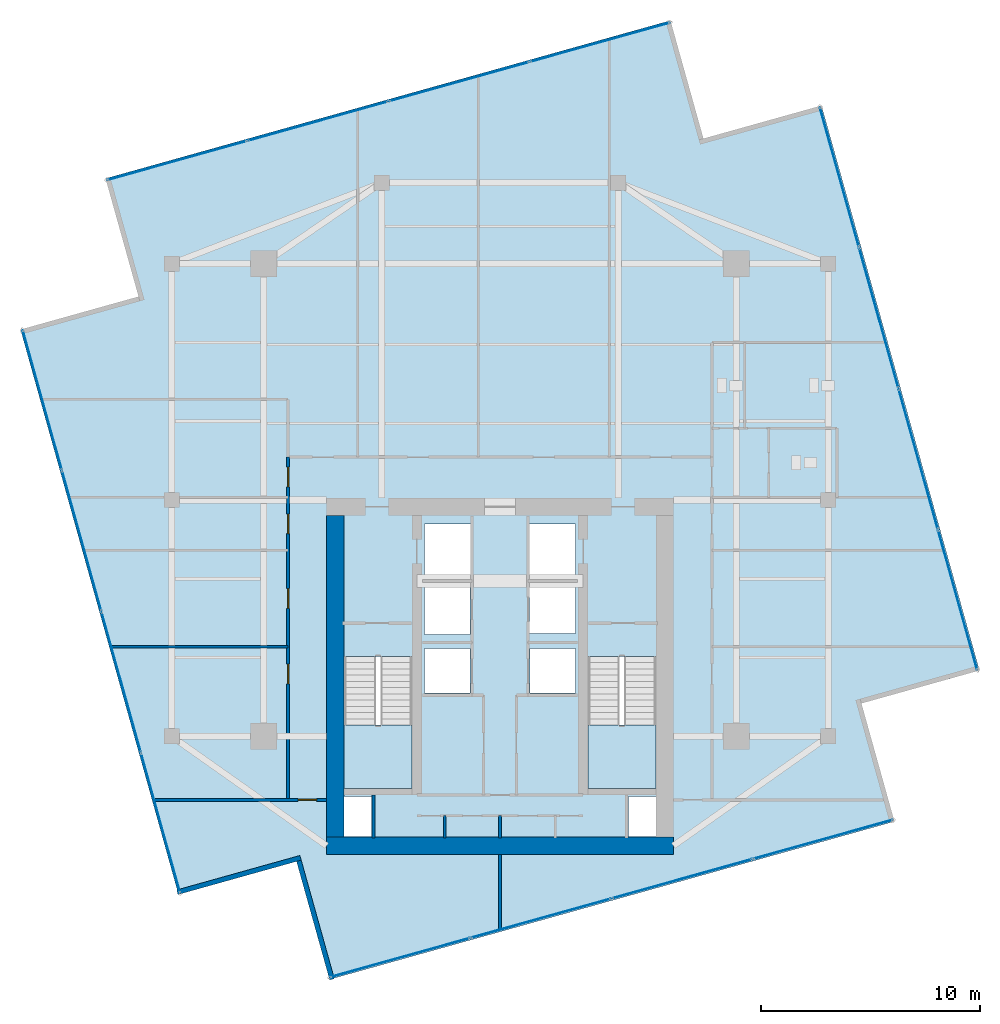
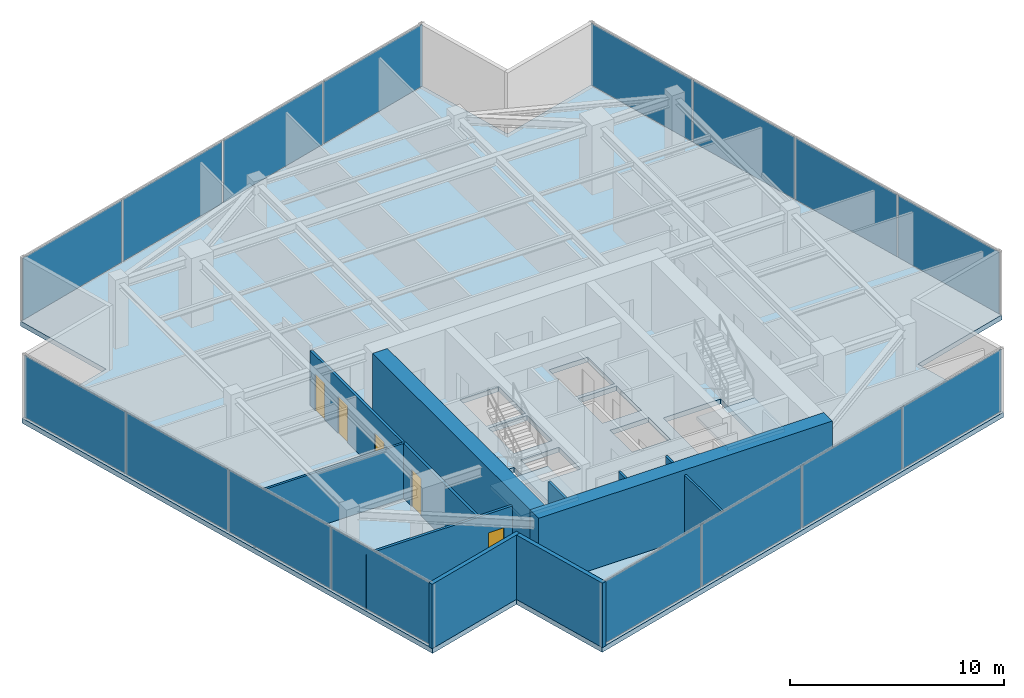
# One storey, part 16 of 21: 16 plates, 11 walls, 5 doors, 3 slabs, 5 openings, 6 elements without a shape of their own.
"""IFC4 building model written with IfcOpenShell, lengths in metres."""

from ifc_helpers import new_model, si_unit, direction, frame, frame_2d, origin, origin_2d, place, context, subcontext, project, spatial, polyline, rectangle, outline, extrude, source, transform, mapped, material, layer, layer_set, type_object, type_shapes, element, fill, aggregate, save


model = new_model("IFC4")

# Units and contexts
model_context = context("Model", 3, precision=1e-05, world=origin(), true_north=direction((0.0, 1.0)))
body_context = subcontext(model_context, "Body", "Model", "MODEL_VIEW")
ifc_project = project(units=[si_unit("LENGTHUNIT", "METRE"), si_unit("AREAUNIT", "SQUARE_METRE"), si_unit("VOLUMEUNIT", "CUBIC_METRE"), si_unit("PLANEANGLEUNIT", "RADIAN"), si_unit("MASSUNIT", "GRAM", prefix="KILO")], contexts=[model_context])

# Site, building, storey
site_placement = place(None, origin())
site = spatial("IfcSite", under=ifc_project, at=site_placement, CompositionType="ELEMENT")
building_placement = place(site_placement, origin())
building = spatial("IfcBuilding", under=site, at=building_placement, Name="Krantzveldt Concourse Tower", CompositionType="ELEMENT")
storey_placement = place(building_placement, frame((0.0, 0.0, 347.449951171875)))
storey = spatial("IfcBuildingStorey", under=building, at=storey_placement, Name="L85", CompositionType="ELEMENT", Elevation=347.449951171875)

# Stair, slab
ifc_material_1 = material(Name="Precast concrete C40/50", Category="concrete")
stair_type = type_object("IfcStairType", Name="STR-CORE-DOGLEG", PredefinedType="HALF_TURN_STAIR", material=ifc_material_1)
stair_1_placement = place(storey_placement, origin())
stair_1 = element("IfcStair", 1, at=stair_1_placement, inside=storey, type_object=stair_type, Name="L85 Protected Escape Stair ST-1", PredefinedType="HALF_TURN_STAIR")
ifc_layer_1 = layer(ifc_material_1, 0.199951171875, Name="Precast concrete C40/50", Category="concrete")
ifc_layer_set_1 = layer_set([ifc_layer_1], Name="Precast concrete C40/50 (SL-LANDING-200)")
slab_type_1 = type_object("IfcSlabType", Name="SL-LANDING-200", PredefinedType="LANDING", material=ifc_layer_set_1)
slab_1_placement = place(storey_placement, frame((0.0, 0.0, 1.775146484375)))
slab_1 = element("IfcSlab", 2, at=slab_1_placement, type_object=slab_type_1, Name="ST-1 landing 1", PredefinedType="LANDING", context=body_context, shape_type="SweptSolid", body=[
    extrude(outline(polyline([(28.8798828125, 16.4150390625), (28.8798828125, 13.52001953125), (31.97998046875, 13.52001953125), (31.97998046875, 16.4150390625), (28.8798828125, 16.4150390625)])), origin(), (0.0, 0.0, 1.0), 0.199951171875),
])
aggregate(stair_1, [slab_1])

stair_2_placement = place(storey_placement, origin())
stair_2 = element("IfcStair", 3, at=stair_2_placement, inside=storey, type_object=stair_type, Name="L85 Protected Escape Stair ST-2", PredefinedType="HALF_TURN_STAIR")
slab_2_placement = place(storey_placement, frame((0.0, 0.0, 1.775146484375)))
slab_2 = element("IfcSlab", 4, at=slab_2_placement, type_object=slab_type_1, Name="ST-2 landing 1", PredefinedType="LANDING", context=body_context, shape_type="SweptSolid", body=[
    extrude(outline(polyline([(40.02001953125, 16.4150390625), (40.02001953125, 13.52001953125), (43.1201171875, 13.52001953125), (43.1201171875, 16.4150390625), (40.02001953125, 16.4150390625)])), origin(), (0.0, 0.0, 1.0), 0.199951171875),
])
aggregate(stair_2, [slab_2])

# Slab
ifc_material_2 = material(Name="Concrete C40/50", Category="concrete")
ifc_layer_2 = layer(ifc_material_2, 0.280029296875, Name="Concrete C40/50", Category="concrete")
ifc_layer_set_2 = layer_set([ifc_layer_2], Name="Concrete C40/50 (SL-SL-TWR280)")
slab_type_2 = type_object("IfcSlabType", Name="SL-SL-TWR280", PredefinedType="FLOOR", material=ifc_layer_set_2)
slab_3_placement = place(storey_placement, frame((0.0, 0.0, -0.280029296875)))
element("IfcSlab", 5, at=slab_3_placement, inside=storey, type_object=slab_type_2, Name="SL-L85-MAIN", PredefinedType="FLOOR", context=body_context, shape_type="SweptSolid", body=[
    extrude(outline(polyline([(45.295654296875, 43.2138671875), (43.787353515625, 48.60693359375), (17.977783203125, 41.388671875), (19.486083984375, 35.99560546875), (14.093017578125, 34.4873046875), (21.311279296875, 8.677734375), (26.704345703125, 10.18603515625), (28.212646484375, 4.79296875), (54.022216796875, 12.01123046875), (52.513916015625, 17.404296875), (57.906982421875, 18.91259765625), (50.688720703125, 44.72216796875), (45.295654296875, 43.2138671875)]), holes=[polyline([(28.8798828125, 19.547607421875), (28.8798828125, 13.52001953125), (31.97998046875, 13.52001953125), (31.97998046875, 19.547607421875), (28.8798828125, 19.547607421875)]), polyline([(40.02001953125, 19.547607421875), (40.02001953125, 13.52001953125), (43.1201171875, 13.52001953125), (43.1201171875, 19.547607421875), (40.02001953125, 19.547607421875)]), polyline([(32.550048828125, 23.10009765625), (34.64990234375, 23.10009765625), (34.64990234375, 25.60009765625), (32.550048828125, 25.60009765625), (32.550048828125, 23.10009765625)]), polyline([(37.35009765625, 23.10009765625), (39.449951171875, 23.10009765625), (39.449951171875, 25.60009765625), (37.35009765625, 25.60009765625), (37.35009765625, 23.10009765625)]), polyline([(37.35009765625, 20.60009765625), (39.449951171875, 20.60009765625), (39.449951171875, 22.89990234375), (37.35009765625, 22.89990234375), (37.35009765625, 20.60009765625)]), polyline([(32.550048828125, 20.550048828125), (34.6201171875, 20.550048828125), (34.6201171875, 22.89990234375), (32.550048828125, 22.89990234375), (32.550048828125, 20.550048828125)]), polyline([(32.550048828125, 17.8798828125), (34.6201171875, 17.8798828125), (34.6201171875, 19.919921875), (32.550048828125, 19.919921875), (32.550048828125, 17.8798828125)]), polyline([(37.3798828125, 17.8798828125), (39.449951171875, 17.8798828125), (39.449951171875, 19.919921875), (37.3798828125, 19.919921875), (37.3798828125, 17.8798828125)]), polyline([(28.8798828125, 11.320068359375), (30.139892578125, 11.320068359375), (30.139892578125, 13.159912109375), (28.8798828125, 13.159912109375), (28.8798828125, 11.320068359375)]), polyline([(41.860107421875, 11.320068359375), (43.1201171875, 11.320068359375), (43.1201171875, 13.159912109375), (41.860107421875, 13.159912109375), (41.860107421875, 11.320068359375)])]), origin(), (0.0, 0.0, 1.0), 0.280029296875),
])

# Curtain wall, plates
ifc_material_3 = material(Name="Anodised aluminium 6063-T6", Category="aluminium")
curtain_wall_type = type_object("IfcCurtainWallType", Name="CW4", PredefinedType="USERDEFINED", material=ifc_material_3)
curtain_wall_1_placement = place(storey_placement, origin())
curtain_wall_1 = element("IfcCurtainWall", 6, at=curtain_wall_1_placement, inside=storey, type_object=curtain_wall_type, Name="CW-L85-F01", ObjectType="UNITISED CURTAIN WALL", PredefinedType="USERDEFINED")
ifc_material_4 = material(Name="Bronze-tinted laminated low-E IGU glass", Category="glass")
ifc_layer_3 = layer(ifc_material_4, 0.031982421875, Name="Bronze-tinted laminated low-E IGU glass", Category="glass")
ifc_layer_set_3 = layer_set([ifc_layer_3], Name="Bronze-tinted laminated low-E IGU glass (CW-GLZ-32)")
plate_type = type_object("IfcPlateType", Name="CW-GLZ-32", PredefinedType="CURTAIN_PANEL", material=ifc_layer_set_3)
shared_shape_1 = source(origin(), body_context, "Body", "SweptSolid", [
    extrude(rectangle(XDim=6.594970703125, YDim=0.031982421875, at=origin_2d()), origin(), (0.0, 0.0, 1.0), 3.530029296875),
])
plate_1_placement = place(storey_placement, frame((40.568603515625, 47.61328125, 0.06982421875), z_axis=(0.0, 0.0, 1.0), x_axis=(-0.963045170968, -0.269339931454, 0.0)))
plate_1 = element("IfcPlate", 7, at=plate_1_placement, type_object=plate_type, Name="CW-Z56 panel 1.1", PredefinedType="CURTAIN_PANEL", context=body_context, shape_type="MappedRepresentation", body=[
    mapped(shared_shape_1, transform((0.0, 0.0, 0.0), x_axis=(1.0, 0.0, 0.0), y_axis=(0.0, 1.0, 0.0), z_axis=(0.0, 0.0, 1.0), scale=1.0)),
])
plate_2_placement = place(storey_placement, frame((21.2451171875, 42.208984375, 0.06982421875), z_axis=(0.0, 0.0, 1.0), x_axis=(-0.963045170968, -0.269339931454, 0.0)))
plate_2 = element("IfcPlate", 8, at=plate_2_placement, type_object=plate_type, Name="CW-Z56 panel 4.1", PredefinedType="CURTAIN_PANEL", context=body_context, shape_type="MappedRepresentation", body=[
    mapped(shared_shape_1, transform((0.0, 0.0, 0.0), x_axis=(1.0, 0.0, 0.0), y_axis=(0.0, 1.0, 0.0), z_axis=(0.0, 0.0, 1.0), scale=1.0)),
])

curtain_wall_2_placement = place(storey_placement, origin())
curtain_wall_2 = element("IfcCurtainWall", 9, at=curtain_wall_2_placement, inside=storey, type_object=curtain_wall_type, Name="CW-L85-F04", ObjectType="UNITISED CURTAIN WALL", PredefinedType="USERDEFINED")
plate_3_placement = place(storey_placement, frame((15.086669921875, 31.2685546875, 0.06982421875), z_axis=(0.0, 0.0, 1.0), x_axis=(0.269339931454, -0.963045170968, 0.0)))
plate_3 = element("IfcPlate", 10, at=plate_3_placement, type_object=plate_type, Name="CW-Z56 panel 1.1", PredefinedType="CURTAIN_PANEL", context=body_context, shape_type="MappedRepresentation", body=[
    mapped(shared_shape_1, transform((0.0, 0.0, 0.0), x_axis=(1.0, 0.0, 0.0), y_axis=(0.0, 1.0, 0.0), z_axis=(0.0, 0.0, 1.0), scale=1.0)),
])
plate_4_placement = place(storey_placement, frame((20.490966796875, 11.945068359375, 0.06982421875), z_axis=(0.0, 0.0, 1.0), x_axis=(0.269339931454, -0.963045170968, 0.0)))
plate_4 = element("IfcPlate", 11, at=plate_4_placement, type_object=plate_type, Name="CW-Z56 panel 4.1", PredefinedType="CURTAIN_PANEL", context=body_context, shape_type="MappedRepresentation", body=[
    mapped(shared_shape_1, transform((0.0, 0.0, 0.0), x_axis=(1.0, 0.0, 0.0), y_axis=(0.0, 1.0, 0.0), z_axis=(0.0, 0.0, 1.0), scale=1.0)),
])

curtain_wall_3_placement = place(storey_placement, origin())
curtain_wall_3 = element("IfcCurtainWall", 12, at=curtain_wall_3_placement, inside=storey, type_object=curtain_wall_type, Name="CW-L85-F07", ObjectType="UNITISED CURTAIN WALL", PredefinedType="USERDEFINED")
plate_5_placement = place(storey_placement, frame((31.431396484375, 5.78662109375, 0.06982421875), z_axis=(0.0, 0.0, 1.0), x_axis=(0.963045170968, 0.269339931454, 0.0)))
plate_5 = element("IfcPlate", 13, at=plate_5_placement, type_object=plate_type, Name="CW-Z56 panel 1.1", PredefinedType="CURTAIN_PANEL", context=body_context, shape_type="MappedRepresentation", body=[
    mapped(shared_shape_1, transform((0.0, 0.0, 0.0), x_axis=(1.0, 0.0, 0.0), y_axis=(0.0, 1.0, 0.0), z_axis=(0.0, 0.0, 1.0), scale=1.0)),
])
plate_6_placement = place(storey_placement, frame((50.7548828125, 11.19091796875, 0.06982421875), z_axis=(0.0, 0.0, 1.0), x_axis=(0.963045170968, 0.269339931454, 0.0)))
plate_6 = element("IfcPlate", 14, at=plate_6_placement, type_object=plate_type, Name="CW-Z56 panel 4.1", PredefinedType="CURTAIN_PANEL", context=body_context, shape_type="MappedRepresentation", body=[
    mapped(shared_shape_1, transform((0.0, 0.0, 0.0), x_axis=(1.0, 0.0, 0.0), y_axis=(0.0, 1.0, 0.0), z_axis=(0.0, 0.0, 1.0), scale=1.0)),
])

curtain_wall_4_placement = place(storey_placement, origin())
curtain_wall_4 = element("IfcCurtainWall", 15, at=curtain_wall_4_placement, inside=storey, type_object=curtain_wall_type, Name="CW-L85-F10", ObjectType="UNITISED CURTAIN WALL", PredefinedType="USERDEFINED")
plate_7_placement = place(storey_placement, frame((56.913330078125, 22.131591796875, 0.06982421875), z_axis=(0.0, 0.0, 1.0), x_axis=(-0.269339931454, 0.963045170968, 0.0)))
plate_7 = element("IfcPlate", 16, at=plate_7_placement, type_object=plate_type, Name="CW-Z56 panel 1.1", PredefinedType="CURTAIN_PANEL", context=body_context, shape_type="MappedRepresentation", body=[
    mapped(shared_shape_1, transform((0.0, 0.0, 0.0), x_axis=(1.0, 0.0, 0.0), y_axis=(0.0, 1.0, 0.0), z_axis=(0.0, 0.0, 1.0), scale=1.0)),
])
plate_8_placement = place(storey_placement, frame((51.509033203125, 41.455078125, 0.06982421875), z_axis=(0.0, 0.0, 1.0), x_axis=(-0.269339931454, 0.963045170968, 0.0)))
plate_8 = element("IfcPlate", 17, at=plate_8_placement, type_object=plate_type, Name="CW-Z56 panel 4.1", PredefinedType="CURTAIN_PANEL", context=body_context, shape_type="MappedRepresentation", body=[
    mapped(shared_shape_1, transform((0.0, 0.0, 0.0), x_axis=(1.0, 0.0, 0.0), y_axis=(0.0, 1.0, 0.0), z_axis=(0.0, 0.0, 1.0), scale=1.0)),
])

# Plate
shared_shape_2 = source(origin(), body_context, "Body", "SweptSolid", [
    extrude(rectangle(XDim=6.6298828125, YDim=0.031982421875, at=origin_2d()), origin(), (0.0, 0.0, 1.0), 3.530029296875),
])
type_shapes(plate_type, [shared_shape_1, shared_shape_2])
plate_9_placement = place(storey_placement, frame((34.133056640625, 45.8134765625, 0.06982421875), z_axis=(0.0, 0.0, 1.0), x_axis=(-0.963045170968, -0.269339931454, 0.0)))
plate_9 = element("IfcPlate", 18, at=plate_9_placement, type_object=plate_type, Name="CW-Z56 panel 2.1", PredefinedType="CURTAIN_PANEL", context=body_context, shape_type="MappedRepresentation", body=[
    mapped(shared_shape_2, transform((0.0, 0.0, 0.0), x_axis=(1.0, 0.0, 0.0), y_axis=(0.0, 1.0, 0.0), z_axis=(0.0, 0.0, 1.0), scale=1.0)),
])

plate_10_placement = place(storey_placement, frame((27.6806640625, 44.0087890625, 0.06982421875), z_axis=(0.0, 0.0, 1.0), x_axis=(-0.963045170968, -0.269339931454, 0.0)))
plate_10 = element("IfcPlate", 19, at=plate_10_placement, type_object=plate_type, Name="CW-Z56 panel 3.1", PredefinedType="CURTAIN_PANEL", context=body_context, shape_type="MappedRepresentation", body=[
    mapped(shared_shape_2, transform((0.0, 0.0, 0.0), x_axis=(1.0, 0.0, 0.0), y_axis=(0.0, 1.0, 0.0), z_axis=(0.0, 0.0, 1.0), scale=1.0)),
])

aggregate(curtain_wall_1, [plate_1, plate_9, plate_10, plate_2])

plate_11_placement = place(storey_placement, frame((16.886474609375, 24.8330078125, 0.06982421875), z_axis=(0.0, 0.0, 1.0), x_axis=(0.269339931454, -0.963045170968, 0.0)))
plate_11 = element("IfcPlate", 20, at=plate_11_placement, type_object=plate_type, Name="CW-Z56 panel 2.1", PredefinedType="CURTAIN_PANEL", context=body_context, shape_type="MappedRepresentation", body=[
    mapped(shared_shape_2, transform((0.0, 0.0, 0.0), x_axis=(1.0, 0.0, 0.0), y_axis=(0.0, 1.0, 0.0), z_axis=(0.0, 0.0, 1.0), scale=1.0)),
])

plate_12_placement = place(storey_placement, frame((18.691162109375, 18.380615234375, 0.06982421875), z_axis=(0.0, 0.0, 1.0), x_axis=(0.269339931454, -0.963045170968, 0.0)))
plate_12 = element("IfcPlate", 21, at=plate_12_placement, type_object=plate_type, Name="CW-Z56 panel 3.1", PredefinedType="CURTAIN_PANEL", context=body_context, shape_type="MappedRepresentation", body=[
    mapped(shared_shape_2, transform((0.0, 0.0, 0.0), x_axis=(1.0, 0.0, 0.0), y_axis=(0.0, 1.0, 0.0), z_axis=(0.0, 0.0, 1.0), scale=1.0)),
])

aggregate(curtain_wall_2, [plate_3, plate_11, plate_12, plate_4])

plate_13_placement = place(storey_placement, frame((37.866943359375, 7.58642578125, 0.06982421875), z_axis=(0.0, 0.0, 1.0), x_axis=(0.963045170968, 0.269339931454, 0.0)))
plate_13 = element("IfcPlate", 22, at=plate_13_placement, type_object=plate_type, Name="CW-Z56 panel 2.1", PredefinedType="CURTAIN_PANEL", context=body_context, shape_type="MappedRepresentation", body=[
    mapped(shared_shape_2, transform((0.0, 0.0, 0.0), x_axis=(1.0, 0.0, 0.0), y_axis=(0.0, 1.0, 0.0), z_axis=(0.0, 0.0, 1.0), scale=1.0)),
])

plate_14_placement = place(storey_placement, frame((44.3193359375, 9.39111328125, 0.06982421875), z_axis=(0.0, 0.0, 1.0), x_axis=(0.963045170968, 0.269339931454, 0.0)))
plate_14 = element("IfcPlate", 23, at=plate_14_placement, type_object=plate_type, Name="CW-Z56 panel 3.1", PredefinedType="CURTAIN_PANEL", context=body_context, shape_type="MappedRepresentation", body=[
    mapped(shared_shape_2, transform((0.0, 0.0, 0.0), x_axis=(1.0, 0.0, 0.0), y_axis=(0.0, 1.0, 0.0), z_axis=(0.0, 0.0, 1.0), scale=1.0)),
])

aggregate(curtain_wall_3, [plate_5, plate_13, plate_14, plate_6])

plate_15_placement = place(storey_placement, frame((55.113525390625, 28.567138671875, 0.06982421875), z_axis=(0.0, 0.0, 1.0), x_axis=(-0.269339931454, 0.963045170968, 0.0)))
plate_15 = element("IfcPlate", 24, at=plate_15_placement, type_object=plate_type, Name="CW-Z56 panel 2.1", PredefinedType="CURTAIN_PANEL", context=body_context, shape_type="MappedRepresentation", body=[
    mapped(shared_shape_2, transform((0.0, 0.0, 0.0), x_axis=(1.0, 0.0, 0.0), y_axis=(0.0, 1.0, 0.0), z_axis=(0.0, 0.0, 1.0), scale=1.0)),
])

plate_16_placement = place(storey_placement, frame((53.308837890625, 35.01953125, 0.06982421875), z_axis=(0.0, 0.0, 1.0), x_axis=(-0.269339931454, 0.963045170968, 0.0)))
plate_16 = element("IfcPlate", 25, at=plate_16_placement, type_object=plate_type, Name="CW-Z56 panel 3.1", PredefinedType="CURTAIN_PANEL", context=body_context, shape_type="MappedRepresentation", body=[
    mapped(shared_shape_2, transform((0.0, 0.0, 0.0), x_axis=(1.0, 0.0, 0.0), y_axis=(0.0, 1.0, 0.0), z_axis=(0.0, 0.0, 1.0), scale=1.0)),
])

aggregate(curtain_wall_4, [plate_7, plate_15, plate_16, plate_8])

# Walls
ifc_layer_4 = layer(ifc_material_3, 0.219970703125, Name="Anodised aluminium 6063-T6", Category="aluminium")
ifc_layer_set_4 = layer_set([ifc_layer_4], Name="Anodised aluminium 6063-T6 (WL-EXT-NOTCH220)")
wall_type_1 = type_object("IfcWallType", Name="WL-EXT-NOTCH220", PredefinedType="ELEMENTEDWALL", material=ifc_layer_set_4)
wall_1_placement = place(storey_placement, frame((21.257568359375, 8.77685546875, 0.0), z_axis=(0.0, 0.0, 1.0), x_axis=(0.963036430781, 0.269371180695, 0.0)))
element("IfcWall", 26, at=wall_1_placement, inside=storey, type_object=wall_type_1, Name="EW-L85-NCH05", PredefinedType="ELEMENTEDWALL", context=body_context, shape_type="SweptSolid", body=[
    extrude(rectangle(XDim=5.844970703125, YDim=0.219970703125, at=frame_2d((2.92236328125, 0.0))), origin(), (0.0, 0.0, 1.0), 3.670166015625),
])
wall_2_placement = place(storey_placement, frame((26.810302734375, 10.215576171875, 0.0), z_axis=(0.0, 0.0, 1.0), x_axis=(0.269362667524, -0.963038811961, 0.0)))
element("IfcWall", 27, at=wall_2_placement, inside=storey, type_object=wall_type_1, Name="EW-L85-NCH06", PredefinedType="ELEMENTEDWALL", context=body_context, shape_type="SweptSolid", body=[
    extrude(rectangle(XDim=5.625, YDim=0.219970703125, at=frame_2d((2.8125, 0.0))), origin(), (0.0, 0.0, 1.0), 3.670166015625),
])
ifc_material_5 = material(Name="Fire-rated gypsum plasterboard on steel stud", Category="steel")
ifc_layer_5 = layer(ifc_material_5, 0.1201171875, Name="Fire-rated gypsum plasterboard on steel stud", Category="steel")
ifc_layer_set_5 = layer_set([ifc_layer_5], Name="Fire-rated gypsum plasterboard on steel stud (WL-PART-120)")
wall_type_2 = type_object("IfcWallType", Name="WL-PART-120", PredefinedType="PARTITIONING", material=ifc_layer_set_5)
for number, where, z_axis, x_axis, name in (
    (28, (33.469970703125, 11.25, 0.0), (0.0, 0.0, 1.0), (0.0, 1.0, 0.0), "WP-L85-CSD-V1"),
    (29, (36.0, 11.25, 0.0), (0.0, 0.0, 1.0), (0.0, 1.0, 0.0), "WP-L85-CSD-V2"),
):
    element("IfcWall", number, at=place(storey_placement, frame(where, z_axis=z_axis, x_axis=x_axis)), inside=storey, type_object=wall_type_2, Name=name, PredefinedType="PARTITIONING", context=body_context, shape_type="SweptSolid", body=[
        extrude(rectangle(XDim=1.030029296875, YDim=0.1201171875, at=frame_2d((0.51513671875, 0.0))), origin(), (0.0, 0.0, 1.0), 3.670166015625),
    ])
wall_3_placement = place(storey_placement, frame((18.23828125, 20.0, 0.0), z_axis=(0.0, 0.0, 1.0), x_axis=(1.0, 0.0, 0.0)))
element("IfcWall", 30, at=wall_3_placement, inside=storey, type_object=wall_type_2, Name="WP-L85-WD1", PredefinedType="PARTITIONING", context=body_context, shape_type="SweptSolid", body=[
    extrude(rectangle(XDim=8.081787109375, YDim=0.1201171875, at=frame_2d((4.041015625, 0.0))), origin(), (0.0, 0.0, 1.0), 3.130126953125),
])
wall_4_placement = place(storey_placement, frame((36.0, 7.064453125, 0.0), z_axis=(0.0, 0.0, 1.0), x_axis=(0.0, 1.0, 0.0)))
element("IfcWall", 31, at=wall_4_placement, inside=storey, type_object=wall_type_2, Name="WP-L85-SSMD", PredefinedType="PARTITIONING", context=body_context, shape_type="SweptSolid", body=[
    extrude(rectangle(XDim=3.435546875, YDim=0.1201171875, at=frame_2d((1.7177734375, 0.0))), origin(), (0.0, 0.0, 1.0), 3.670166015625),
])

# Wall, openings, doors
ifc_layer_6 = layer(ifc_material_5, 0.139892578125, Name="Fire-rated gypsum plasterboard on steel stud", Category="steel")
ifc_layer_set_6 = layer_set([ifc_layer_6], Name="Fire-rated gypsum plasterboard on steel stud (WL-PART-140)")
wall_type_3 = type_object("IfcWallType", Name="WL-PART-140", PredefinedType="PARTITIONING", material=ifc_layer_set_6)
wall_5_placement = place(storey_placement, frame((26.320068359375, 13.0, 0.0), z_axis=(0.0, 0.0, 1.0), x_axis=(0.0, 1.0, 0.0)))
wall_5 = element("IfcWall", 32, at=wall_5_placement, inside=storey, type_object=wall_type_3, Name="WP-L85-CWEST", PredefinedType="PARTITIONING", context=body_context, shape_type="SweptSolid", body=[
    extrude(rectangle(XDim=15.659912109375, YDim=0.139892578125, at=frame_2d((7.830078125, 0.0))), origin(), (0.0, 0.0, 1.0), 3.130126953125),
])
opening_1_placement = place(wall_5_placement, frame((14.300048828125, 0.0, 0.0)))
opening_1 = element("IfcOpeningElement", 33, at=opening_1_placement, cuts=wall_5, Name="Opening D-IN090", PredefinedType="OPENING", context=body_context, shape_type="SweptSolid", body=[
    extrude(rectangle(XDim=0.89990234375, YDim=2.10009765625, at=frame_2d((0.449951171875, 1.050048828125))), frame((0.0, 0.080078125, 0.0), z_axis=(0.0, -1.0, 0.0), x_axis=(1.0, 0.0, 0.0)), (0.0, 0.0, 1.0), 0.159912109375),
])
opening_2_placement = place(wall_5_placement, frame((5.300048828125, 0.0, 0.0)))
opening_2 = element("IfcOpeningElement", 34, at=opening_2_placement, cuts=wall_5, Name="Opening D-IN090", PredefinedType="OPENING", context=body_context, shape_type="SweptSolid", body=[
    extrude(rectangle(XDim=0.89990234375, YDim=2.10009765625, at=frame_2d((0.449951171875, 1.050048828125))), frame((0.0, 0.080078125, 0.0), z_axis=(0.0, -1.0, 0.0), x_axis=(1.0, 0.0, 0.0)), (0.0, 0.0, 1.0), 0.159912109375),
])
opening_3_placement = place(wall_5_placement, frame((8.75, 0.0, 0.0)))
opening_3 = element("IfcOpeningElement", 35, at=opening_3_placement, cuts=wall_5, Name="Opening D-IN090", PredefinedType="OPENING", context=body_context, shape_type="SweptSolid", body=[
    extrude(rectangle(XDim=0.89990234375, YDim=2.10009765625, at=frame_2d((0.449951171875, 1.050048828125))), frame((0.0, 0.080078125, 0.0), z_axis=(0.0, -1.0, 0.0), x_axis=(1.0, 0.0, 0.0)), (0.0, 0.0, 1.0), 0.159912109375),
])
opening_4_placement = place(wall_5_placement, frame((12.159912109375, 0.0, 0.0)))
opening_4 = element("IfcOpeningElement", 36, at=opening_4_placement, cuts=wall_5, Name="Opening D-IN090", PredefinedType="OPENING", context=body_context, shape_type="SweptSolid", body=[
    extrude(rectangle(XDim=0.89990234375, YDim=2.10009765625, at=frame_2d((0.449951171875, 1.050048828125))), frame((0.0, 0.080078125, 0.0), z_axis=(0.0, -1.0, 0.0), x_axis=(1.0, 0.0, 0.0)), (0.0, 0.0, 1.0), 0.159912109375),
])
ifc_material_6 = material(Name="Hardwood timber", Category="wood")
door_type_1 = type_object("IfcDoorType", Name="DR-INT-900", OperationType="SINGLE_SWING_LEFT", PredefinedType="DOOR", material=ifc_material_6)
door_1_placement = place(opening_1_placement, origin())
door_1 = element("IfcDoor", 37, at=door_1_placement, inside=storey, type_object=door_type_1, Name="DR-L85-PNT", OperationType="SINGLE_SWING_LEFT", OverallHeight=2.10009765625, OverallWidth=0.89990234375, PredefinedType="DOOR", context=body_context, shape_type="SweptSolid", body=[
    extrude(rectangle(XDim=0.89990234375, YDim=2.10009765625, at=frame_2d((0.449951171875, 1.050048828125))), frame((0.0, 0.02490234375, 0.0), z_axis=(0.0, -1.0, 0.0), x_axis=(1.0, 0.0, 0.0)), (0.0, 0.0, 1.0), 0.050048828125),
])
fill(opening_1, door_1)
door_2_placement = place(opening_2_placement, origin())
door_2 = element("IfcDoor", 38, at=door_2_placement, inside=storey, type_object=door_type_1, Name="DR-L85-WR1", OperationType="SINGLE_SWING_LEFT", OverallHeight=2.10009765625, OverallWidth=0.89990234375, PredefinedType="DOOR", context=body_context, shape_type="SweptSolid", body=[
    extrude(rectangle(XDim=0.89990234375, YDim=2.10009765625, at=frame_2d((0.449951171875, 1.050048828125))), frame((0.0, 0.02490234375, 0.0), z_axis=(0.0, -1.0, 0.0), x_axis=(1.0, 0.0, 0.0)), (0.0, 0.0, 1.0), 0.050048828125),
])
fill(opening_2, door_2)
door_3_placement = place(opening_3_placement, origin())
door_3 = element("IfcDoor", 39, at=door_3_placement, inside=storey, type_object=door_type_1, Name="DR-L85-WR2", OperationType="SINGLE_SWING_LEFT", OverallHeight=2.10009765625, OverallWidth=0.89990234375, PredefinedType="DOOR", context=body_context, shape_type="SweptSolid", body=[
    extrude(rectangle(XDim=0.89990234375, YDim=2.10009765625, at=frame_2d((0.449951171875, 1.050048828125))), frame((0.0, 0.02490234375, 0.0), z_axis=(0.0, -1.0, 0.0), x_axis=(1.0, 0.0, 0.0)), (0.0, 0.0, 1.0), 0.050048828125),
])
fill(opening_3, door_3)
door_4_placement = place(opening_4_placement, origin())
door_4 = element("IfcDoor", 40, at=door_4_placement, inside=storey, type_object=door_type_1, Name="DR-L85-WR3", OperationType="SINGLE_SWING_LEFT", OverallHeight=2.10009765625, OverallWidth=0.89990234375, PredefinedType="DOOR", context=body_context, shape_type="SweptSolid", body=[
    extrude(rectangle(XDim=0.89990234375, YDim=2.10009765625, at=frame_2d((0.449951171875, 1.050048828125))), frame((0.0, 0.02490234375, 0.0), z_axis=(0.0, -1.0, 0.0), x_axis=(1.0, 0.0, 0.0)), (0.0, 0.0, 1.0), 0.050048828125),
])
fill(opening_4, door_4)

# Wall, opening, door
wall_6_placement = place(storey_placement, frame((20.19580078125, 13.0, 0.0), z_axis=(0.0, 0.0, 1.0), x_axis=(1.0, 0.0, 0.0)))
wall_6 = element("IfcWall", 41, at=wall_6_placement, inside=storey, type_object=wall_type_3, Name="WP-L85-CSBOTW", PredefinedType="PARTITIONING", context=body_context, shape_type="SweptSolid", body=[
    extrude(rectangle(XDim=7.88427734375, YDim=0.139892578125, at=frame_2d((3.942138671875, 0.0))), origin(), (0.0, 0.0, 1.0), 3.179931640625),
])
opening_5_placement = place(wall_6_placement, frame((6.5791015625, 0.0, 0.0)))
opening_5 = element("IfcOpeningElement", 42, at=opening_5_placement, cuts=wall_6, Name="Opening D-IN085", PredefinedType="OPENING", context=body_context, shape_type="SweptSolid", body=[
    extrude(rectangle(XDim=0.85009765625, YDim=2.10009765625, at=frame_2d((0.425048828125, 1.050048828125))), frame((0.0, 0.080078125, 0.0), z_axis=(0.0, -1.0, 0.0), x_axis=(1.0, 0.0, 0.0)), (0.0, 0.0, 1.0), 0.159912109375),
])
door_type_2 = type_object("IfcDoorType", Name="DR-INT-850", OperationType="SINGLE_SWING_LEFT", PredefinedType="DOOR", material=ifc_material_6)
door_5_placement = place(opening_5_placement, origin())
door_5 = element("IfcDoor", 43, at=door_5_placement, inside=storey, type_object=door_type_2, Name="DR-L85-SR1", OperationType="SINGLE_SWING_LEFT", OverallHeight=2.10009765625, OverallWidth=0.85009765625, PredefinedType="DOOR", context=body_context, shape_type="SweptSolid", body=[
    extrude(rectangle(XDim=0.85009765625, YDim=2.10009765625, at=frame_2d((0.425048828125, 1.050048828125))), frame((0.0, 0.02490234375, 0.0), z_axis=(0.0, -1.0, 0.0), x_axis=(1.0, 0.0, 0.0)), (0.0, 0.0, 1.0), 0.050048828125),
])
fill(opening_5, door_5)

# Walls
ifc_layer_7 = layer(ifc_material_5, 0.139892578125, Name="Fire-rated gypsum plasterboard on steel stud", Category="steel")
ifc_layer_set_7 = layer_set([ifc_layer_7], Name="Fire-rated gypsum plasterboard on steel stud (WL-PART-FR140)")
wall_type_4 = type_object("IfcWallType", Name="WL-PART-FR140", PredefinedType="PARTITIONING", material=ifc_layer_set_7)
wall_7_placement = place(storey_placement, frame((30.219970703125, 11.25, 0.0), z_axis=(0.0, 0.0, 1.0), x_axis=(0.0, 1.0, 0.0)))
element("IfcWall", 44, at=wall_7_placement, inside=storey, type_object=wall_type_4, Name="WP-L85-RSW", PredefinedType="PARTITIONING", context=body_context, shape_type="SweptSolid", body=[
    extrude(rectangle(XDim=1.969970703125, YDim=0.1201171875, at=frame_2d((0.98486328125, 0.0))), origin(), (0.0, 0.0, 1.0), 3.670166015625),
])
ifc_material_7 = material(Name="Concrete C60/75", Category="concrete")
ifc_layer_8 = layer(ifc_material_7, 0.800048828125, Name="Concrete C60/75", Category="concrete")
ifc_layer_set_8 = layer_set([ifc_layer_8], Name="Concrete C60/75 (WL-SHEAR-800)")
wall_type_5 = type_object("IfcWallType", Name="WL-SHEAR-800", PredefinedType="SHEAR", material=ifc_layer_set_8)
wall_8_placement = place(storey_placement, frame((28.080078125, 10.89990234375, 0.0), z_axis=(0.0, 0.0, 1.0), x_axis=(1.0, 0.0, 0.0)))
element("IfcWall", 45, at=wall_8_placement, inside=storey, type_object=wall_type_5, Name="CW-L85-S", PredefinedType="SHEAR", context=body_context, shape_type="SweptSolid", body=[
    extrude(rectangle(XDim=15.83984375, YDim=0.800048828125, at=frame_2d((7.919921875, 0.0))), origin(), (0.0, 0.0, 1.0), 3.949951171875),
])
wall_9_placement = place(storey_placement, frame((28.47998046875, 11.300048828125, 0.0), z_axis=(0.0, 0.0, 1.0), x_axis=(0.0, 1.0, 0.0)))
element("IfcWall", 46, at=wall_9_placement, inside=storey, type_object=wall_type_5, Name="CW-L85-W", PredefinedType="SHEAR", context=body_context, shape_type="SweptSolid", body=[
    extrude(rectangle(XDim=14.699951171875, YDim=0.800048828125, at=frame_2d((7.35009765625, 0.0))), origin(), (0.0, 0.0, 1.0), 3.949951171875),
])

save(model, "model.ifc")
